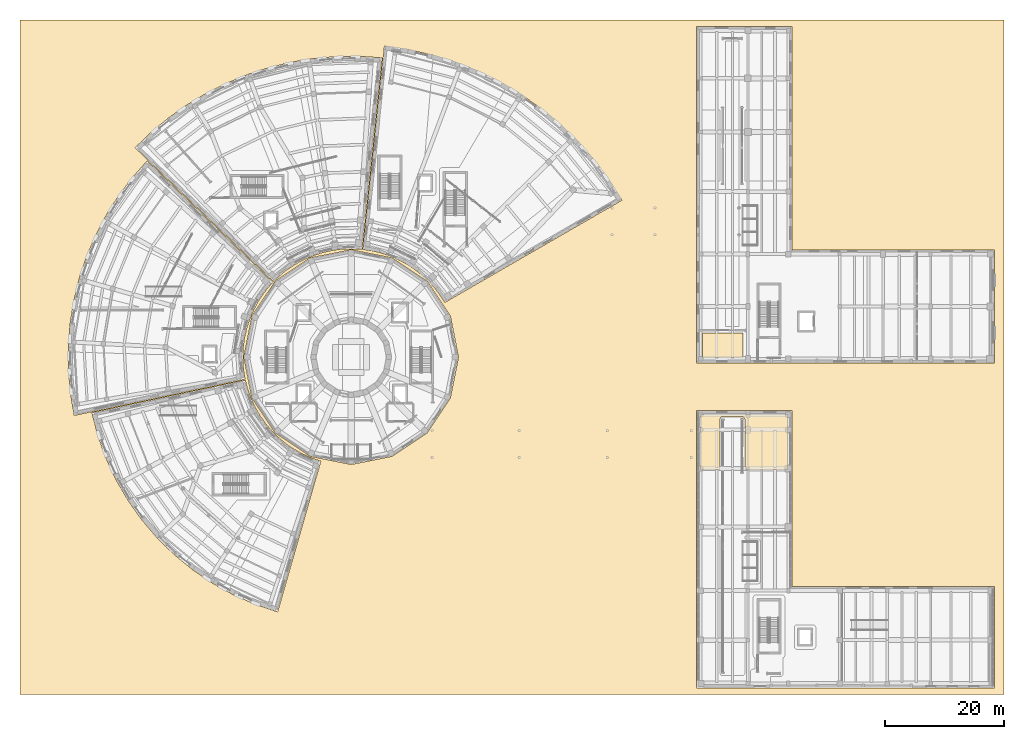
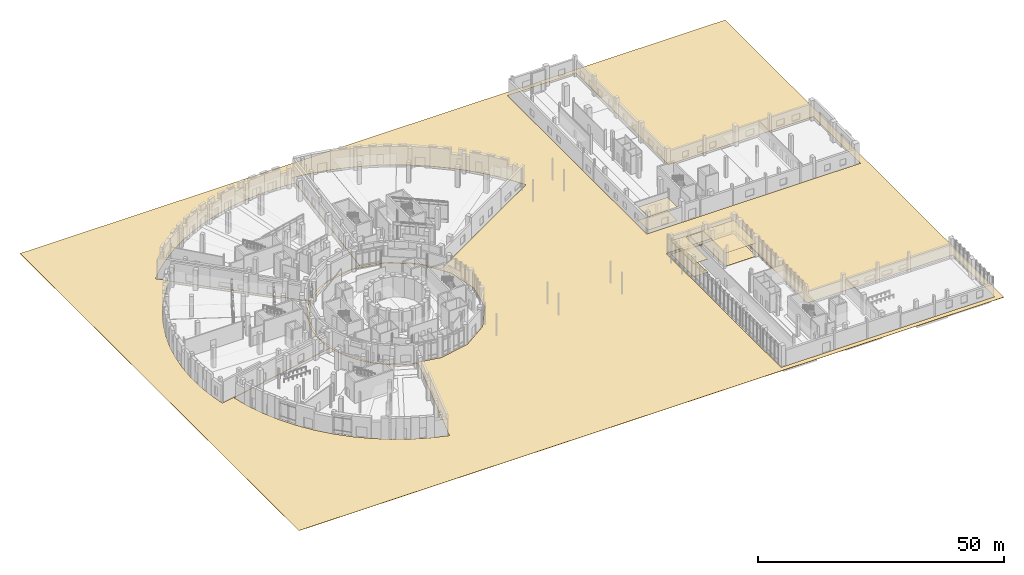
# One storey, part 63 of 74: 5 coverings.
"""IFC4 building model written with IfcOpenShell, lengths in metres."""

import ifcopenshell
import ifcopenshell.guid

model = None  # the IFC model being written
_history = None  # IfcOwnerHistory: only IFC2X3 demands one
_inside = {}  # id of a spatial element -> (the spatial element, [elements in it])
_under = {}  # id of a project, library or spatial element -> (it, [spatial elements below it])
_declared = {}  # id of a project -> (the project, [libraries it declares])
_typed = {}  # id of a type object -> (the type object, [elements of that type])
_made_of = {}  # id of a material, layer set ... -> (it, [elements and type objects made of it])


def new_model(schema):
    """Start an empty IFC model of exactly this schema.

    Asked for "IFC4X3", IfcOpenShell would pick the latest addendum, in which some entities
    have other attributes; the version numbers below select the first issue.
    IFC2X3 requires an IfcOwnerHistory on every rooted entity: one is made here for all.
    """
    global model, _history
    if schema == "IFC4X3":
        model = ifcopenshell.file(schema_version=(4, 3, 0, 0))
    else:
        model = ifcopenshell.file(schema=schema)
    _inside.clear()
    _under.clear()
    _declared.clear()
    _typed.clear()
    _made_of.clear()
    _history = None
    if model.schema == "IFC2X3":
        org = make("IfcOrganization", Name="unknown")
        user = make(
            "IfcPersonAndOrganization",
            ThePerson=make("IfcPerson", FamilyName="unknown"),
            TheOrganization=org,
        )
        app = make(
            "IfcApplication",
            ApplicationDeveloper=org,
            Version="unknown",
            ApplicationFullName="unknown",
            ApplicationIdentifier="unknown",
        )
        _history = make(
            "IfcOwnerHistory",
            OwningUser=user,
            OwningApplication=app,
            ChangeAction="ADDED",
            CreationDate=0,
        )
    return model


def make(cls, **values):
    """One entity of the class cls with the attributes given. An attribute that is None is left unset."""
    return model.create_entity(
        cls, **{name: value for name, value in values.items() if value is not None}
    )


def rooted(cls, **values):
    """An entity with a GlobalId (a new one), such as an element, a storey or a relation."""
    return make(cls, GlobalId=ifcopenshell.guid.new(), OwnerHistory=_history, **values)


def si_unit(unit_type, name, prefix=None):
    """IfcSIUnit, for example si_unit("LENGTHUNIT", "METRE", prefix="MILLI")."""
    return make("IfcSIUnit", UnitType=unit_type, Prefix=prefix, Name=name)


def assignment(units):
    """IfcUnitAssignment: the units of a project."""
    return None if units is None else make("IfcUnitAssignment", Units=units)


def point(xyz):
    """IfcCartesianPoint."""
    return None if xyz is None else make("IfcCartesianPoint", Coordinates=xyz)


def direction(xyz):
    """IfcDirection."""
    return None if xyz is None else make("IfcDirection", DirectionRatios=xyz)


def frame(location, z_axis=None, x_axis=None):
    """IfcAxis2Placement3D, a coordinate frame: its origin and axes. An axis left out is left unset."""
    return make(
        "IfcAxis2Placement3D",
        Location=point(location),
        Axis=direction(z_axis),
        RefDirection=direction(x_axis),
    )


def origin():
    """The frame at (0, 0, 0) with its axes left unset."""
    return frame((0.0, 0.0, 0.0))


def place(relative_to, where):
    """IfcLocalPlacement: puts the frame where relative to a parent placement (None: the world)."""
    return make(
        "IfcLocalPlacement", PlacementRelTo=relative_to, RelativePlacement=where
    )


def context(
    kind, dimensions, precision=None, world=None, true_north=None, identifier=None
):
    """IfcGeometricRepresentationContext, for example the 3D "Model" context."""
    return make(
        "IfcGeometricRepresentationContext",
        ContextIdentifier=identifier,
        ContextType=kind,
        CoordinateSpaceDimension=dimensions,
        Precision=precision,
        WorldCoordinateSystem=world,
        TrueNorth=true_north,
    )


def subcontext(parent, identifier, kind, view, scale=None):
    """IfcGeometricRepresentationSubContext, for example "Body" below "Model"."""
    return make(
        "IfcGeometricRepresentationSubContext",
        ContextIdentifier=identifier,
        ContextType=kind,
        ParentContext=parent,
        TargetScale=scale,
        TargetView=view,
    )


def project(units=None, contexts=None):
    """IfcProject with its units and contexts."""
    return rooted(
        "IfcProject",
        Name="project",
        RepresentationContexts=contexts,
        UnitsInContext=assignment(units),
    )


def spatial(cls, under=None, at=None, **own):
    """A site, building, storey or space (cls), placed at a placement, below another one or the project."""
    s = rooted(cls, ObjectPlacement=at, **own)
    if under is not None:
        _under.setdefault(under.id(), (under, []))[1].append(s)
    return s


def polyline(points):
    """IfcPolyline through the points."""
    return make("IfcPolyline", Points=[point(p) for p in points])


def outline(outer, holes=None, kind="AREA"):
    """IfcArbitraryClosedProfileDef: a profile drawn as a closed curve; with holes, ...WithVoids."""
    if holes is None:
        return make("IfcArbitraryClosedProfileDef", ProfileType=kind, OuterCurve=outer)
    return make(
        "IfcArbitraryProfileDefWithVoids",
        ProfileType=kind,
        OuterCurve=outer,
        InnerCurves=holes,
    )


def extrude(swept, where, along, depth):
    """IfcExtrudedAreaSolid: the profile swept, set in the frame where, extruded along a direction by depth."""
    return make(
        "IfcExtrudedAreaSolid",
        SweptArea=swept,
        Position=where,
        ExtrudedDirection=direction(along),
        Depth=depth,
    )


def shape(context_of_items, identifier, shape_type, items):
    """IfcShapeRepresentation: the items that make up one representation, for example the "Body"."""
    return make(
        "IfcShapeRepresentation",
        ContextOfItems=context_of_items,
        RepresentationIdentifier=identifier,
        RepresentationType=shape_type,
        Items=items,
    )


def material(Name=None, Category=None):
    """IfcMaterial."""
    return make("IfcMaterial", Name=Name, Category=Category)


def layer(
    of_material, thickness, ventilated=None, Name=None, Category=None, Priority=None
):
    """IfcMaterialLayer: one layer of a wall or slab, of a material (None: an air gap)."""
    return make(
        "IfcMaterialLayer",
        Material=of_material,
        LayerThickness=thickness,
        IsVentilated=ventilated,
        Name=Name,
        Category=Category,
        Priority=Priority,
    )


def layer_set(layers, Name=None):
    """IfcMaterialLayerSet."""
    return make("IfcMaterialLayerSet", MaterialLayers=layers, LayerSetName=Name)


def made_of(thing, what):
    """Note that an element or type object is made of a material, layer set ...; save() writes the relation."""
    if what is not None:
        _made_of.setdefault(what.id(), (what, []))[1].append(thing)
    return thing


def type_object(cls, material=None, **own):
    """A type object (cls), such as IfcWallType, which elements share."""
    return made_of(rooted(cls, **own), material)


def element(
    cls,
    number,
    at=None,
    inside=None,
    cuts=None,
    type_object=None,
    material=None,
    context=None,
    identifier="Body",
    shape_type=None,
    held_by="IfcProductDefinitionShape",
    body=None,
    shapes=None,
    **own,
):
    """One element of the class cls, such as IfcWall. Its Tag is "e" and its number.

    at: its placement. inside: the storey or other place that contains it. cuts: it is an
    opening in that element (IfcRelVoidsElement). A single representation is given by context,
    identifier, shape_type and body (its items); several are given by shapes. held_by: the class
    of the entity that holds the representations. save() writes the other relations.
    """
    e = rooted(cls, Tag="e%d" % number, ObjectPlacement=at, **own)
    if body is not None:
        shapes = [shape(context, identifier, shape_type, body)]
    if shapes is not None:
        e.Representation = make(held_by, Representations=shapes)
    if inside is not None:
        _inside.setdefault(inside.id(), (inside, []))[1].append(e)
    if cuts is not None:
        rooted(
            "IfcRelVoidsElement", RelatingBuildingElement=cuts, RelatedOpeningElement=e
        )
    if type_object is not None:
        _typed.setdefault(type_object.id(), (type_object, []))[1].append(e)
    return made_of(e, material)


def aggregate(whole, parts):
    """IfcRelAggregates: a whole, such as a stair, and the parts it consists of."""
    return rooted("IfcRelAggregates", RelatingObject=whole, RelatedObjects=parts)


def save(model, path):
    """Write the relations noted so far, then the file.

    IfcRelAggregates (storeys below a building ...), IfcRelContainedInSpatialStructure (elements
    in a storey), IfcRelDefinesByType, IfcRelAssociatesMaterial and IfcRelDeclares: one each for
    every whole, place, type object, material and project.
    """
    for whole, parts in _under.values():
        aggregate(whole, parts)
    for where, things in _inside.values():
        rooted(
            "IfcRelContainedInSpatialStructure",
            RelatedElements=things,
            RelatingStructure=where,
        )
    for kind, things in _typed.values():
        rooted("IfcRelDefinesByType", RelatedObjects=things, RelatingType=kind)
    for what, things in _made_of.values():
        rooted("IfcRelAssociatesMaterial", RelatedObjects=things, RelatingMaterial=what)
    for by, libraries in _declared.values():
        rooted("IfcRelDeclares", RelatingContext=by, RelatedDefinitions=libraries)
    model.write(path)


model = new_model("IFC4")

# Units and contexts
model_context = context("Model", 3, precision=1e-05, world=origin(), true_north=direction((0.0, 1.0)))
body_context = subcontext(model_context, "Body", "Model", "MODEL_VIEW")
ifc_project = project(units=[si_unit("LENGTHUNIT", "METRE"), si_unit("AREAUNIT", "SQUARE_METRE"), si_unit("VOLUMEUNIT", "CUBIC_METRE"), si_unit("PLANEANGLEUNIT", "RADIAN"), si_unit("MASSUNIT", "GRAM", prefix="KILO")], contexts=[model_context])

# Site, building, storey
site_placement = place(None, origin())
site = spatial("IfcSite", under=ifc_project, at=site_placement, CompositionType="ELEMENT")
building_placement = place(site_placement, origin())
building = spatial("IfcBuilding", under=site, at=building_placement, Name="Soyqirgoq Riverine Aquarium", CompositionType="ELEMENT")
storey_placement = place(building_placement, origin())
storey = spatial("IfcBuildingStorey", under=building, at=storey_placement, Name="L01", CompositionType="ELEMENT", Elevation=0.0)

# Coverings
ifc_material_1 = material(Name="Perforated mineral-fibre acoustic ceiling", Category="gypsum")
ifc_layer_1 = layer(ifc_material_1, 0.050048828125)
ifc_layer_set_1 = layer_set([ifc_layer_1], Name="Perforated mineral-fibre acoustic ceiling")
covering_type_1 = type_object("IfcCoveringType", Name="AcousticBaffleCeiling_50", PredefinedType="CEILING", material=ifc_layer_set_1)
covering_1_placement = place(storey_placement, frame((0.0, 0.0, 3.25)))
element("IfcCovering", 1, at=covering_1_placement, inside=storey, type_object=covering_type_1, Name="Education Centre Classroom Suspended Ceiling", PredefinedType="CEILING", context=body_context, shape_type="SweptSolid", body=[
    extrude(outline(polyline([(114.64990234375, 47.35009765625), (129.35009765625, 47.35009765625), (129.35009765625, 38.030029296875), (122.080078125, 38.030029296875), (122.080078125, 46.530029296875), (122.077880859375, 46.573974609375), (122.071044921875, 46.617919921875), (122.06103515625, 46.660888671875), (122.0458984375, 46.701904296875), (122.027099609375, 46.741943359375), (122.00390625, 46.780029296875), (121.97802734375, 46.81494140625), (121.947998046875, 46.847900390625), (121.9150390625, 46.8779296875), (121.8798828125, 46.904052734375), (121.842041015625, 46.927001953125), (121.802001953125, 46.946044921875), (121.760986328125, 46.9609375), (121.718017578125, 46.970947265625), (121.674072265625, 46.97802734375), (121.6298828125, 46.97998046875), (118.3701171875, 46.97998046875), (118.325927734375, 46.97802734375), (118.281982421875, 46.970947265625), (118.239013671875, 46.9609375), (118.197998046875, 46.946044921875), (118.157958984375, 46.927001953125), (118.1201171875, 46.904052734375), (118.0849609375, 46.8779296875), (118.052001953125, 46.847900390625), (118.02197265625, 46.81494140625), (117.99609375, 46.780029296875), (117.972900390625, 46.741943359375), (117.9541015625, 46.701904296875), (117.93896484375, 46.660888671875), (117.928955078125, 46.617919921875), (117.922119140625, 46.573974609375), (117.919921875, 46.530029296875), (117.919921875, 38.030029296875), (114.64990234375, 38.030029296875), (114.64990234375, 47.35009765625)])), origin(), (0.0, 0.0, 1.0), 0.050048828125),
])
covering_2_placement = place(storey_placement, frame((0.0, 0.0, 3.25)))
element("IfcCovering", 2, at=covering_2_placement, inside=storey, type_object=covering_type_1, Name="Fire Control Room Suspended Ceiling", PredefinedType="CEILING", context=body_context, shape_type="SweptSolid", body=[
    extrude(outline(polyline([(114.949951171875, 56.949951171875), (114.949951171875, 61.050048828125), (121.75, 61.050048828125), (121.75, 56.949951171875), (114.949951171875, 56.949951171875)])), origin(), (0.0, 0.0, 1.0), 0.050048828125),
])
ifc_material_2 = material(Name="Bush-hammered Chirchik stone plaza paving", Category="masonry")
ifc_layer_2 = layer(ifc_material_2, 0.06005859375)
ifc_layer_set_2 = layer_set([ifc_layer_2], Name="Bush-hammered Chirchik stone plaza paving")
covering_type_2 = type_object("IfcCoveringType", Name="SitePlazaPaving_60", PredefinedType="USERDEFINED", material=ifc_layer_set_2)
covering_3_placement = place(storey_placement, frame((0.0, 0.0, -0.06005859375)))
element("IfcCovering", 3, at=covering_3_placement, inside=storey, type_object=covering_type_2, Name="L01 Riverine Passage and Avenue Plaza Paving 01", ObjectType="PAVING", PredefinedType="USERDEFINED", context=body_context, shape_type="SweptSolid", body=[
    extrude(outline(polyline([(165.60009765625, 0.39990234375), (165.60009765625, 113.60009765625), (0.39990234375, 113.60009765625), (0.39990234375, 0.39990234375), (165.60009765625, 0.39990234375)]), holes=[polyline([(113.97998046875, 48.001953125), (113.97998046875, 48.00390625), (113.98095703125, 48.006103515625), (113.98193359375, 48.008056640625), (113.98193359375, 48.009033203125), (113.98291015625, 48.010986328125), (113.985107421875, 48.012939453125), (113.986083984375, 48.013916015625), (113.987060546875, 48.014892578125), (113.989013671875, 48.01708984375), (113.990966796875, 48.01806640625), (113.991943359375, 48.01806640625), (113.993896484375, 48.01904296875), (113.99609375, 48.02001953125), (113.998046875, 48.02001953125), (114.0, 48.02001953125), (130.0, 48.02001953125), (130.001953125, 48.02001953125), (130.00390625, 48.02001953125), (130.006103515625, 48.01904296875), (130.008056640625, 48.01806640625), (130.009033203125, 48.01806640625), (130.010986328125, 48.01708984375), (130.012939453125, 48.014892578125), (130.013916015625, 48.013916015625), (130.014892578125, 48.012939453125), (130.01708984375, 48.010986328125), (130.01806640625, 48.009033203125), (130.01806640625, 48.008056640625), (130.01904296875, 48.006103515625), (130.02001953125, 48.00390625), (130.02001953125, 48.001953125), (130.02001953125, 48.0), (130.02001953125, 18.52001953125), (164.0, 18.52001953125), (164.001953125, 18.52001953125), (164.00390625, 18.52001953125), (164.006103515625, 18.51904296875), (164.008056640625, 18.51806640625), (164.009033203125, 18.51806640625), (164.010986328125, 18.51708984375), (164.012939453125, 18.514892578125), (164.013916015625, 18.513916015625), (164.014892578125, 18.512939453125), (164.01708984375, 18.510986328125), (164.01806640625, 18.509033203125), (164.01806640625, 18.508056640625), (164.01904296875, 18.506103515625), (164.02001953125, 18.50390625), (164.02001953125, 18.501953125), (164.02001953125, 18.5), (164.02001953125, 1.5), (164.02001953125, 1.498046875), (164.02001953125, 1.49609375), (164.01904296875, 1.493896484375), (164.01806640625, 1.491943359375), (164.01806640625, 1.490966796875), (164.01708984375, 1.489013671875), (164.014892578125, 1.487060546875), (164.013916015625, 1.486083984375), (164.012939453125, 1.485107421875), (164.010986328125, 1.48291015625), (164.009033203125, 1.48193359375), (164.008056640625, 1.48193359375), (164.006103515625, 1.48095703125), (164.00390625, 1.47998046875), (164.001953125, 1.47998046875), (164.0, 1.47998046875), (114.0, 1.47998046875), (113.998046875, 1.47998046875), (113.99609375, 1.47998046875), (113.993896484375, 1.48095703125), (113.991943359375, 1.48193359375), (113.990966796875, 1.48193359375), (113.989013671875, 1.48291015625), (113.987060546875, 1.485107421875), (113.986083984375, 1.486083984375), (113.985107421875, 1.487060546875), (113.98291015625, 1.489013671875), (113.98193359375, 1.490966796875), (113.98193359375, 1.491943359375), (113.98095703125, 1.493896484375), (113.97998046875, 1.49609375), (113.97998046875, 1.498046875), (113.97998046875, 1.5), (113.97998046875, 48.0), (113.97998046875, 48.001953125)]), polyline([(39.202880859375, 50.0009765625), (39.2041015625, 50.0), (39.205078125, 49.9990234375), (39.85595703125, 48.595947265625), (40.678955078125, 47.177001953125), (41.6259765625, 45.8369140625), (42.68896484375, 44.587890625), (43.068115234375, 44.216064453125), (43.070068359375, 44.215087890625), (43.071044921875, 44.212890625), (43.1279296875, 44.1279296875), (43.222900390625, 44.06494140625), (43.22412109375, 44.06298828125), (43.22607421875, 44.06201171875), (43.861083984375, 43.43896484375), (45.132080078125, 42.40087890625), (46.490966796875, 41.48193359375), (47.927001953125, 40.68896484375), (48.946044921875, 40.239990234375), (48.947021484375, 40.239013671875), (48.948974609375, 40.239013671875), (49.033935546875, 40.181884765625), (49.113037109375, 40.166015625), (49.114990234375, 40.1650390625), (49.116943359375, 40.1650390625), (49.427978515625, 40.028076171875), (50.8798828125, 39.5400390625), (50.882080078125, 39.5390625), (50.883056640625, 39.5380859375), (50.885009765625, 39.537109375), (50.885986328125, 39.535888671875), (50.887939453125, 39.534912109375), (50.888916015625, 39.532958984375), (50.889892578125, 39.531982421875), (50.89111328125, 39.530029296875), (50.89208984375, 39.528076171875), (50.89306640625, 39.527099609375), (50.89306640625, 39.52490234375), (50.89306640625, 39.52294921875), (50.89306640625, 39.52099609375), (50.89306640625, 39.51904296875), (50.89306640625, 39.51708984375), (50.89306640625, 39.514892578125), (43.64892578125, 14.2529296875), (43.64794921875, 14.251953125), (43.64794921875, 14.25), (43.64697265625, 14.248046875), (43.64501953125, 14.24609375), (43.64404296875, 14.2451171875), (43.64208984375, 14.243896484375), (43.64111328125, 14.241943359375), (43.638916015625, 14.240966796875), (43.636962890625, 14.239990234375), (43.635009765625, 14.239990234375), (43.633056640625, 14.239013671875), (43.631103515625, 14.239013671875), (43.62890625, 14.239013671875), (43.626953125, 14.239013671875), (43.625, 14.239013671875), (43.623046875, 14.239990234375), (39.925048828125, 15.48291015625), (39.924072265625, 15.48388671875), (36.251953125, 17.09912109375), (36.25, 17.10009765625), (32.739013671875, 19.0400390625), (32.738037109375, 19.041015625), (29.4150390625, 21.2890625), (29.4140625, 21.2900390625), (26.306884765625, 23.827880859375), (26.305908203125, 23.8291015625), (23.44091796875, 26.636962890625), (23.43994140625, 26.637939453125), (20.839111328125, 29.69189453125), (20.837890625, 29.694091796875), (18.52197265625, 32.969970703125), (18.52099609375, 32.970947265625), (16.510986328125, 36.44189453125), (16.510009765625, 36.444091796875), (14.820068359375, 40.08203125), (14.819091796875, 40.083984375), (13.464111328125, 43.85888671875), (13.462890625, 43.861083984375), (12.48095703125, 47.635986328125), (12.47998046875, 47.637939453125), (12.47998046875, 47.639892578125), (12.47998046875, 47.64208984375), (12.47998046875, 47.64404296875), (12.48095703125, 47.64599609375), (12.48095703125, 47.64794921875), (12.48193359375, 47.64990234375), (12.48291015625, 47.652099609375), (12.48388671875, 47.654052734375), (12.486083984375, 47.655029296875), (12.487060546875, 47.656982421875), (12.489013671875, 47.657958984375), (12.489990234375, 47.658935546875), (12.491943359375, 47.659912109375), (12.493896484375, 47.659912109375), (12.49609375, 47.660888671875), (38.201904296875, 53.125), (38.2041015625, 53.125), (38.2060546875, 53.125), (38.20703125, 53.125), (38.208984375, 53.125), (38.2109375, 53.125), (38.212890625, 53.1240234375), (38.215087890625, 53.123046875), (38.216064453125, 53.1220703125), (38.218017578125, 53.12109375), (38.218994140625, 53.1201171875), (38.220947265625, 53.118896484375), (38.221923828125, 53.116943359375), (38.222900390625, 53.115966796875), (38.22412109375, 53.114013671875), (38.22509765625, 53.112060546875), (38.22509765625, 53.110107421875), (38.611083984375, 51.6279296875), (39.180908203125, 50.034912109375), (39.202880859375, 50.0009765625)]), polyline([(72.64794921875, 50.10400390625), (72.64697265625, 50.10205078125), (72.64599609375, 50.10107421875), (68.7451171875, 44.260986328125), (68.742919921875, 44.259033203125), (68.741943359375, 44.258056640625), (68.740966796875, 44.257080078125), (68.739013671875, 44.2548828125), (62.89892578125, 40.35400390625), (62.89794921875, 40.35302734375), (62.89599609375, 40.35205078125), (62.89404296875, 40.35107421875), (62.89208984375, 40.35107421875), (56.00390625, 38.97998046875), (56.001953125, 38.97998046875), (56.0, 38.97998046875), (55.998046875, 38.97998046875), (55.99609375, 38.97998046875), (49.10791015625, 40.35107421875), (49.10595703125, 40.35107421875), (49.10400390625, 40.35205078125), (49.10205078125, 40.35302734375), (49.10107421875, 40.35400390625), (43.260986328125, 44.2548828125), (43.259033203125, 44.257080078125), (43.258056640625, 44.258056640625), (43.257080078125, 44.259033203125), (43.2548828125, 44.260986328125), (39.35400390625, 50.10107421875), (39.35302734375, 50.10205078125), (39.35205078125, 50.10400390625), (39.35107421875, 50.10595703125), (39.35107421875, 50.10791015625), (37.97998046875, 56.99609375), (37.97998046875, 56.998046875), (37.97998046875, 57.0), (37.97998046875, 57.001953125), (37.97998046875, 57.00390625), (39.35107421875, 63.89208984375), (39.35107421875, 63.89404296875), (39.35205078125, 63.89599609375), (39.35302734375, 63.89794921875), (39.35400390625, 63.89892578125), (43.2548828125, 69.739013671875), (43.257080078125, 69.740966796875), (43.258056640625, 69.741943359375), (43.259033203125, 69.742919921875), (43.260986328125, 69.7451171875), (49.10107421875, 73.64599609375), (49.10205078125, 73.64697265625), (49.10400390625, 73.64794921875), (49.10595703125, 73.64892578125), (49.10791015625, 73.64892578125), (55.99609375, 75.02001953125), (55.998046875, 75.02001953125), (56.0, 75.02001953125), (56.001953125, 75.02001953125), (56.00390625, 75.02001953125), (62.89208984375, 73.64892578125), (62.89404296875, 73.64892578125), (62.89599609375, 73.64794921875), (62.89794921875, 73.64697265625), (62.89892578125, 73.64599609375), (68.739013671875, 69.7451171875), (68.740966796875, 69.742919921875), (68.741943359375, 69.741943359375), (68.742919921875, 69.740966796875), (68.7451171875, 69.739013671875), (72.64599609375, 63.89892578125), (72.64697265625, 63.89794921875), (72.64794921875, 63.89599609375), (72.64892578125, 63.89404296875), (72.64892578125, 63.89208984375), (74.02001953125, 57.00390625), (74.02001953125, 57.001953125), (74.02001953125, 57.0), (74.02001953125, 56.998046875), (74.02001953125, 56.99609375), (72.64892578125, 50.10791015625), (72.64892578125, 50.10595703125), (72.64794921875, 50.10400390625)]), polyline([(39.237060546875, 64.050048828125), (39.236083984375, 64.048095703125), (39.235107421875, 64.0458984375), (39.181884765625, 63.966064453125), (39.1650390625, 63.8798828125), (39.1640625, 63.8779296875), (39.1630859375, 63.8759765625), (38.970947265625, 63.423095703125), (38.5048828125, 62.01708984375), (38.155029296875, 60.576904296875), (37.923095703125, 59.113037109375), (37.81103515625, 57.635009765625), (37.81396484375, 57.093017578125), (37.81396484375, 57.091064453125), (37.81396484375, 57.089111328125), (37.7958984375, 57.0), (37.81494140625, 56.905029296875), (37.81494140625, 56.903076171875), (37.81494140625, 56.90087890625), (37.820068359375, 56.153076171875), (37.948974609375, 54.677001953125), (38.178955078125, 53.323974609375), (38.179931640625, 53.322021484375), (38.179931640625, 53.320068359375), (38.179931640625, 53.318115234375), (38.178955078125, 53.31591796875), (38.178955078125, 53.31396484375), (38.177978515625, 53.31298828125), (38.177001953125, 53.31103515625), (38.176025390625, 53.30908203125), (38.175048828125, 53.30810546875), (38.174072265625, 53.305908203125), (38.172119140625, 53.304931640625), (38.1708984375, 53.303955078125), (38.1689453125, 53.302978515625), (38.16796875, 53.302001953125), (38.166015625, 53.301025390625), (38.1640625, 53.301025390625), (9.52392578125, 47.212890625), (9.52197265625, 47.212890625), (9.52001953125, 47.212890625), (9.51806640625, 47.212890625), (9.51611328125, 47.212890625), (9.513916015625, 47.214111328125), (9.511962890625, 47.214111328125), (9.510009765625, 47.215087890625), (9.508056640625, 47.216064453125), (9.507080078125, 47.217041015625), (9.5048828125, 47.218994140625), (9.50390625, 47.219970703125), (9.5029296875, 47.221923828125), (9.501953125, 47.22412109375), (9.5009765625, 47.22509765625), (9.5, 47.22705078125), (9.5, 47.22900390625), (8.868896484375, 50.93408203125), (8.868896484375, 50.93505859375), (8.531005859375, 54.7880859375), (8.531005859375, 54.7900390625), (8.509033203125, 58.657958984375), (8.509033203125, 58.658935546875), (8.801025390625, 62.51611328125), (8.801025390625, 62.51806640625), (9.406005859375, 66.337890625), (9.406982421875, 66.339111328125), (10.321044921875, 70.097900390625), (10.321044921875, 70.09912109375), (11.5380859375, 73.77001953125), (11.5380859375, 73.77197265625), (13.049072265625, 77.33203125), (13.050048828125, 77.333984375), (14.845947265625, 80.759033203125), (14.846923828125, 80.760986328125), (16.916015625, 84.029052734375), (16.916015625, 84.030029296875), (19.243896484375, 87.118896484375), (19.2451171875, 87.1201171875), (21.742919921875, 89.927001953125), (21.7451171875, 89.928955078125), (21.74609375, 89.929931640625), (21.748046875, 89.930908203125), (21.75, 89.931884765625), (21.751953125, 89.93310546875), (21.7529296875, 89.93310546875), (21.7548828125, 89.93408203125), (21.757080078125, 89.93408203125), (21.759033203125, 89.93408203125), (21.760986328125, 89.93408203125), (21.762939453125, 89.93310546875), (21.764892578125, 89.93310546875), (21.76708984375, 89.931884765625), (21.76904296875, 89.930908203125), (21.77099609375, 89.929931640625), (21.77197265625, 89.927978515625), (42.833984375, 69.589111328125), (42.8359375, 69.5869140625), (42.8369140625, 69.5859375), (42.837890625, 69.583984375), (42.839111328125, 69.5830078125), (42.839111328125, 69.5810546875), (42.840087890625, 69.5791015625), (42.840087890625, 69.576904296875), (42.840087890625, 69.574951171875), (42.840087890625, 69.572998046875), (42.840087890625, 69.571044921875), (42.840087890625, 69.570068359375), (42.839111328125, 69.568115234375), (42.837890625, 69.56591796875), (42.837890625, 69.56396484375), (42.8369140625, 69.56298828125), (42.8349609375, 69.56103515625), (41.923095703125, 68.535888671875), (41.031005859375, 67.35205078125), (40.238037109375, 66.10009765625), (39.550048828125, 64.787109375), (39.237060546875, 64.050048828125)]), polyline([(113.97998046875, 112.50390625), (113.98095703125, 112.506103515625), (113.98193359375, 112.508056640625), (113.98193359375, 112.509033203125), (113.98291015625, 112.510986328125), (113.985107421875, 112.512939453125), (113.986083984375, 112.513916015625), (113.987060546875, 112.514892578125), (113.989013671875, 112.51708984375), (113.990966796875, 112.51806640625), (113.991943359375, 112.51806640625), (113.993896484375, 112.51904296875), (113.99609375, 112.52001953125), (113.998046875, 112.52001953125), (114.0, 112.52001953125), (130.0, 112.52001953125), (130.001953125, 112.52001953125), (130.00390625, 112.52001953125), (130.006103515625, 112.51904296875), (130.008056640625, 112.51806640625), (130.009033203125, 112.51806640625), (130.010986328125, 112.51708984375), (130.012939453125, 112.514892578125), (130.013916015625, 112.513916015625), (130.014892578125, 112.512939453125), (130.01708984375, 112.510986328125), (130.01806640625, 112.509033203125), (130.01806640625, 112.508056640625), (130.01904296875, 112.506103515625), (130.02001953125, 112.50390625), (130.02001953125, 112.501953125), (130.02001953125, 112.5), (130.02001953125, 75.02001953125), (164.0, 75.02001953125), (164.001953125, 75.02001953125), (164.00390625, 75.02001953125), (164.006103515625, 75.01904296875), (164.008056640625, 75.01806640625), (164.009033203125, 75.01806640625), (164.010986328125, 75.01708984375), (164.012939453125, 75.014892578125), (164.013916015625, 75.013916015625), (164.014892578125, 75.012939453125), (164.01708984375, 75.010986328125), (164.01806640625, 75.009033203125), (164.01806640625, 75.008056640625), (164.01904296875, 75.006103515625), (164.02001953125, 75.00390625), (164.02001953125, 75.001953125), (164.02001953125, 75.0), (164.02001953125, 56.0), (164.02001953125, 55.998046875), (164.02001953125, 55.99609375), (164.01904296875, 55.993896484375), (164.01806640625, 55.991943359375), (164.01806640625, 55.990966796875), (164.01708984375, 55.989013671875), (164.014892578125, 55.987060546875), (164.013916015625, 55.986083984375), (164.012939453125, 55.985107421875), (164.010986328125, 55.98291015625), (164.009033203125, 55.98193359375), (164.008056640625, 55.98193359375), (164.006103515625, 55.98095703125), (164.00390625, 55.97998046875), (164.001953125, 55.97998046875), (164.0, 55.97998046875), (114.0, 55.97998046875), (113.998046875, 55.97998046875), (113.99609375, 55.97998046875), (113.993896484375, 55.98095703125), (113.991943359375, 55.98193359375), (113.990966796875, 55.98193359375), (113.989013671875, 55.98291015625), (113.987060546875, 55.985107421875), (113.986083984375, 55.986083984375), (113.985107421875, 55.987060546875), (113.98291015625, 55.989013671875), (113.98193359375, 55.990966796875), (113.98193359375, 55.991943359375), (113.98095703125, 55.993896484375), (113.97998046875, 55.99609375), (113.97998046875, 55.998046875), (113.97998046875, 56.0), (113.97998046875, 112.5), (113.97998046875, 112.501953125), (113.97998046875, 112.50390625)]), polyline([(68.916015625, 69.806884765625), (68.9150390625, 69.80810546875), (68.8720703125, 69.8720703125), (68.799072265625, 69.9208984375), (68.797119140625, 69.922119140625), (68.7958984375, 69.923095703125), (68.177978515625, 70.52490234375), (67.0791015625, 71.43896484375), (65.912109375, 72.263916015625), (64.68408203125, 72.993896484375), (63.403076171875, 73.626953125), (63.033935546875, 73.77392578125), (63.031982421875, 73.77392578125), (63.030029296875, 73.77587890625), (62.966064453125, 73.818115234375), (62.8798828125, 73.8349609375), (62.8779296875, 73.8359375), (62.8759765625, 73.8359375), (62.074951171875, 74.156005859375), (60.7109375, 74.580078125), (59.31689453125, 74.89501953125), (58.010986328125, 75.0849609375), (58.009033203125, 75.0849609375), (58.007080078125, 75.0859375), (58.0048828125, 75.0859375), (58.0029296875, 75.0869140625), (58.001953125, 75.087890625), (58.0, 75.089111328125), (57.9990234375, 75.091064453125), (57.998046875, 75.092041015625), (57.9970703125, 75.093994140625), (57.99609375, 75.094970703125), (57.9951171875, 75.096923828125), (57.993896484375, 75.09912109375), (57.993896484375, 75.10107421875), (57.993896484375, 75.10302734375), (57.993896484375, 75.10498046875), (57.993896484375, 75.10595703125), (61.576904296875, 109.198974609375), (61.576904296875, 109.200927734375), (61.577880859375, 109.202880859375), (61.577880859375, 109.205078125), (61.5791015625, 109.2060546875), (61.580078125, 109.2080078125), (61.58203125, 109.2099609375), (61.5830078125, 109.2109375), (61.583984375, 109.2119140625), (61.5859375, 109.214111328125), (61.587890625, 109.215087890625), (61.590087890625, 109.215087890625), (61.592041015625, 109.216064453125), (61.593994140625, 109.216064453125), (61.595947265625, 109.217041015625), (61.597900390625, 109.217041015625), (61.60009765625, 109.216064453125), (65.570068359375, 108.64111328125), (65.572021484375, 108.639892578125), (69.592041015625, 107.73095703125), (69.593994140625, 107.72998046875), (73.531005859375, 106.508056640625), (73.531982421875, 106.507080078125), (77.361083984375, 104.97998046875), (77.363037109375, 104.97900390625), (81.06005859375, 103.156005859375), (81.06103515625, 103.155029296875), (84.60400390625, 101.047119140625), (84.60498046875, 101.047119140625), (87.971923828125, 98.6669921875), (87.972900390625, 98.666015625), (91.14208984375, 96.030029296875), (91.14306640625, 96.029052734375), (94.095947265625, 93.153076171875), (94.096923828125, 93.152099609375), (96.81494140625, 90.052001953125), (96.81591796875, 90.051025390625), (99.282958984375, 86.748046875), (99.283935546875, 86.7470703125), (101.425048828125, 83.35400390625), (101.426025390625, 83.35205078125), (101.426025390625, 83.35009765625), (101.427001953125, 83.347900390625), (101.427001953125, 83.345947265625), (101.427978515625, 83.343994140625), (101.427978515625, 83.342041015625), (101.427001953125, 83.340087890625), (101.427001953125, 83.337890625), (101.426025390625, 83.3359375), (101.426025390625, 83.3349609375), (101.425048828125, 83.3330078125), (101.424072265625, 83.3310546875), (101.422119140625, 83.330078125), (101.4208984375, 83.327880859375), (101.4189453125, 83.326904296875), (101.41796875, 83.325927734375), (71.72998046875, 66.18603515625), (71.72900390625, 66.18505859375), (71.72705078125, 66.18408203125), (71.72509765625, 66.18408203125), (71.722900390625, 66.18310546875), (71.720947265625, 66.18310546875), (71.718994140625, 66.18310546875), (71.717041015625, 66.18310546875), (71.716064453125, 66.18408203125), (71.714111328125, 66.18408203125), (71.7119140625, 66.18505859375), (71.7099609375, 66.18603515625), (71.708984375, 66.18701171875), (71.70703125, 66.18798828125), (71.7060546875, 66.18896484375), (71.7041015625, 66.19091796875), (71.702880859375, 66.19189453125), (70.9990234375, 67.30908203125), (70.14404296875, 68.4541015625), (69.201904296875, 69.528076171875), (68.9169921875, 69.804931640625), (68.916015625, 69.806884765625)]), polyline([(51.0849609375, 74.52392578125), (49.77490234375, 74.10205078125), (49.12109375, 73.8359375), (49.1201171875, 73.8349609375), (49.117919921875, 73.8349609375), (49.033935546875, 73.818115234375), (48.967041015625, 73.77294921875), (48.965087890625, 73.77197265625), (48.962890625, 73.77099609375), (48.5009765625, 73.5830078125), (47.26904296875, 72.968994140625), (46.087890625, 72.263916015625), (44.962890625, 71.470947265625), (43.90087890625, 70.595947265625), (43.19091796875, 69.9150390625), (43.18994140625, 69.9140625), (43.18896484375, 69.9130859375), (43.1279296875, 69.8720703125), (43.094970703125, 69.822998046875), (43.093994140625, 69.821044921875), (43.092041015625, 69.820068359375), (42.987060546875, 69.718017578125), (42.985107421875, 69.717041015625), (42.98388671875, 69.716064453125), (42.98193359375, 69.715087890625), (42.97998046875, 69.714111328125), (42.97900390625, 69.714111328125), (42.97705078125, 69.712890625), (42.97509765625, 69.712890625), (42.972900390625, 69.712890625), (42.970947265625, 69.712890625), (42.968994140625, 69.712890625), (42.967041015625, 69.714111328125), (42.965087890625, 69.714111328125), (42.964111328125, 69.715087890625), (42.9619140625, 69.716064453125), (42.9609375, 69.717041015625), (42.958984375, 69.718994140625), (19.739013671875, 92.14208984375), (19.738037109375, 92.14404296875), (19.736083984375, 92.14501953125), (19.735107421875, 92.14697265625), (19.73388671875, 92.14892578125), (19.73388671875, 92.15087890625), (19.73291015625, 92.153076171875), (19.73291015625, 92.155029296875), (19.73291015625, 92.156982421875), (19.73291015625, 92.158935546875), (19.73291015625, 92.160888671875), (19.73388671875, 92.162109375), (19.73388671875, 92.1640625), (19.735107421875, 92.166015625), (19.736083984375, 92.16796875), (19.738037109375, 92.1689453125), (19.739013671875, 92.1708984375), (22.4140625, 94.739013671875), (22.4150390625, 94.739990234375), (25.361083984375, 97.1689453125), (25.363037109375, 97.169921875), (28.48388671875, 99.368896484375), (28.485107421875, 99.3701171875), (31.763916015625, 101.326904296875), (31.76611328125, 101.327880859375), (35.18310546875, 103.031982421875), (35.18408203125, 103.031982421875), (38.719970703125, 104.472900390625), (38.721923828125, 104.47412109375), (42.35693359375, 105.64306640625), (42.35791015625, 105.64306640625), (46.071044921875, 106.534912109375), (46.072998046875, 106.534912109375), (49.842041015625, 107.14306640625), (49.843994140625, 107.14404296875), (53.64892578125, 107.465087890625), (53.64990234375, 107.465087890625), (57.468994140625, 107.4990234375), (57.469970703125, 107.4990234375), (61.169921875, 107.2509765625), (61.172119140625, 107.2509765625), (61.174072265625, 107.25), (61.176025390625, 107.2490234375), (61.177978515625, 107.2490234375), (61.179931640625, 107.248046875), (61.180908203125, 107.24609375), (61.18310546875, 107.2451171875), (61.18408203125, 107.243896484375), (61.18505859375, 107.241943359375), (61.18603515625, 107.239990234375), (61.18701171875, 107.239013671875), (61.18798828125, 107.237060546875), (61.18896484375, 107.235107421875), (61.18896484375, 107.23291015625), (61.18896484375, 107.23095703125), (61.18896484375, 107.22900390625), (57.81494140625, 75.1259765625), (57.81396484375, 75.1240234375), (57.81396484375, 75.1220703125), (57.81298828125, 75.1201171875), (57.81201171875, 75.117919921875), (57.81103515625, 75.116943359375), (57.81005859375, 75.114990234375), (57.80908203125, 75.114013671875), (57.80810546875, 75.112060546875), (57.805908203125, 75.111083984375), (57.803955078125, 75.110107421875), (57.802978515625, 75.10888671875), (57.801025390625, 75.10888671875), (57.799072265625, 75.10791015625), (57.797119140625, 75.10791015625), (57.794921875, 75.10791015625), (57.79296875, 75.10791015625), (56.529052734375, 75.19189453125), (56.080078125, 75.18798828125), (56.077880859375, 75.18798828125), (56.075927734375, 75.18896484375), (56.0, 75.2041015625), (55.9169921875, 75.18701171875), (55.9150390625, 75.18701171875), (55.9130859375, 75.18701171875), (55.153076171875, 75.179931640625), (53.781982421875, 75.06396484375), (52.423095703125, 74.844970703125), (51.0849609375, 74.52392578125)])]), origin(), (0.0, 0.0, 1.0), 0.06005859375),
])
ifc_material_3 = material(Name="Polished Chirchiq river-pebble terrazzo flooring", Category="concrete")
ifc_layer_3 = layer(ifc_material_3, 0.030029296875)
ifc_layer_set_3 = layer_set([ifc_layer_3], Name="Polished Chirchiq river-pebble terrazzo flooring")
covering_type_3 = type_object("IfcCoveringType", Name="TerrazzoFloorFinish_30", PredefinedType="FLOORING", material=ifc_layer_set_3)
covering_4_placement = place(storey_placement, origin())
element("IfcCovering", 4, at=covering_4_placement, inside=storey, type_object=covering_type_3, Name="Education Centre Classroom Floor Finish", PredefinedType="FLOORING", context=body_context, shape_type="SweptSolid", body=[
    extrude(outline(polyline([(114.64990234375, 47.35009765625), (129.35009765625, 47.35009765625), (129.35009765625, 38.030029296875), (122.080078125, 38.030029296875), (122.080078125, 46.530029296875), (122.077880859375, 46.573974609375), (122.071044921875, 46.617919921875), (122.06103515625, 46.660888671875), (122.0458984375, 46.701904296875), (122.027099609375, 46.741943359375), (122.00390625, 46.780029296875), (121.97802734375, 46.81494140625), (121.947998046875, 46.847900390625), (121.9150390625, 46.8779296875), (121.8798828125, 46.904052734375), (121.842041015625, 46.927001953125), (121.802001953125, 46.946044921875), (121.760986328125, 46.9609375), (121.718017578125, 46.970947265625), (121.674072265625, 46.97802734375), (121.6298828125, 46.97998046875), (118.3701171875, 46.97998046875), (118.325927734375, 46.97802734375), (118.281982421875, 46.970947265625), (118.239013671875, 46.9609375), (118.197998046875, 46.946044921875), (118.157958984375, 46.927001953125), (118.1201171875, 46.904052734375), (118.0849609375, 46.8779296875), (118.052001953125, 46.847900390625), (118.02197265625, 46.81494140625), (117.99609375, 46.780029296875), (117.972900390625, 46.741943359375), (117.9541015625, 46.701904296875), (117.93896484375, 46.660888671875), (117.928955078125, 46.617919921875), (117.922119140625, 46.573974609375), (117.919921875, 46.530029296875), (117.919921875, 38.030029296875), (114.64990234375, 38.030029296875), (114.64990234375, 47.35009765625)])), origin(), (0.0, 0.0, 1.0), 0.030029296875),
])
covering_5_placement = place(storey_placement, origin())
element("IfcCovering", 5, at=covering_5_placement, inside=storey, type_object=covering_type_3, Name="Fire Control Room Floor Finish", PredefinedType="FLOORING", context=body_context, shape_type="SweptSolid", body=[
    extrude(outline(polyline([(114.949951171875, 56.949951171875), (114.949951171875, 61.050048828125), (121.75, 61.050048828125), (121.75, 56.949951171875), (114.949951171875, 56.949951171875)])), origin(), (0.0, 0.0, 1.0), 0.030029296875),
])

save(model, "model.ifc")
